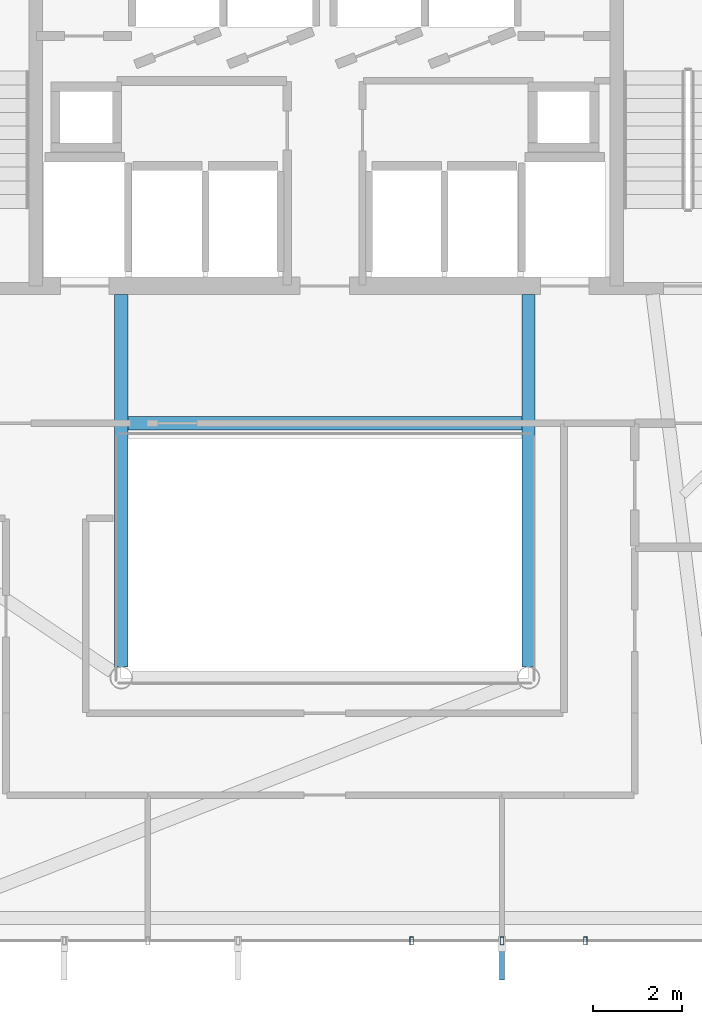
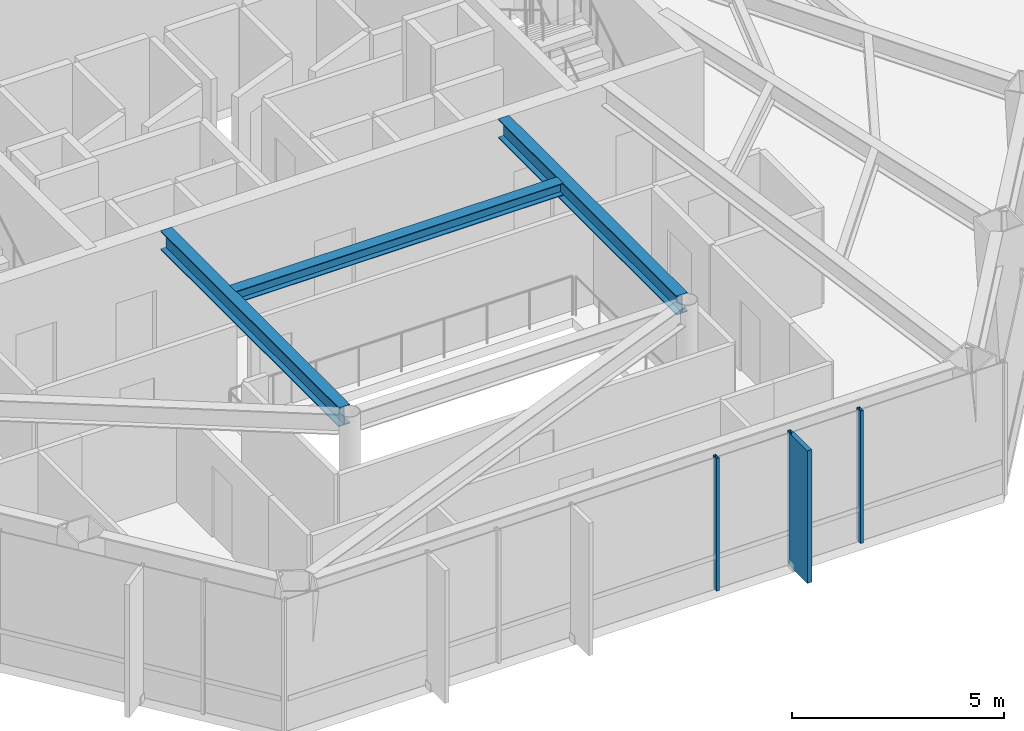
# One storey, part 8 of 26: 4 members, 3 beams, 1 element without a shape of its own.
"""IFC4 building model written with IfcOpenShell, lengths in metres."""

from ifc_helpers import new_model, si_unit, direction, frame, origin, origin_2d, place, context, subcontext, project, spatial, rectangle, hollow_rectangle, i_section, extrude, material, layer, layer_set, material_profile, profile_set, type_object, element, aggregate, save


model = new_model("IFC4")

# Units and contexts
model_context = context("Model", 3, precision=1e-05, world=origin(), true_north=direction((0.0, 1.0)))
body_context = subcontext(model_context, "Body", "Model", "MODEL_VIEW")
ifc_project = project(units=[si_unit("LENGTHUNIT", "METRE"), si_unit("AREAUNIT", "SQUARE_METRE"), si_unit("VOLUMEUNIT", "CUBIC_METRE"), si_unit("PLANEANGLEUNIT", "RADIAN"), si_unit("MASSUNIT", "GRAM", prefix="KILO")], contexts=[model_context])

# Site, building, storey
site_placement = place(None, origin())
site = spatial("IfcSite", under=ifc_project, at=site_placement, CompositionType="ELEMENT")
building_placement = place(site_placement, origin())
building = spatial("IfcBuilding", under=site, at=building_placement, Name="Zarrinselat Tower", CompositionType="ELEMENT")
storey_placement = place(building_placement, frame((0.0, 0.0, 92.820068359375)))
storey = spatial("IfcBuildingStorey", under=building, at=storey_placement, Name="L22", CompositionType="ELEMENT", Elevation=92.820068359375)

# Beams
ifc_material_1 = material(Name="Steel S355J2", Category="steel")
ifc_material_profile_1 = material_profile(ifc_material_1, i_section(OverallWidth=0.300048828125, OverallDepth=0.35009765625, WebThickness=0.010009765625, FlangeThickness=0.017578125, at=origin_2d()), Name="HEA 360")
ifc_profile_set_1 = profile_set([ifc_material_profile_1], Name="Steel S355J2")
beam_type_1 = type_object("IfcBeamType", Name="BM-HEA360", PredefinedType="LINTEL", material=ifc_profile_set_1)
beam_placement = place(storey_placement, frame((33.93994140625, 30.14990234375, 3.64501953125), z_axis=(1.0, 0.0, 0.0), x_axis=(0.0, 1.0, 0.0)))
element("IfcBeam", 1, at=beam_placement, inside=storey, type_object=beam_type_1, Name="L22 Lift Lobby Ceiling Beam", PredefinedType="LINTEL", context=body_context, shape_type="SweptSolid", body=[
    extrude(i_section(OverallWidth=0.300048828125, OverallDepth=0.35009765625, WebThickness=0.010009765625, FlangeThickness=0.017578125, at=origin_2d()), origin(), (0.0, 0.0, 1.0), 8.920166015625),
])
ifc_material_2 = material(Name="Steel S355J2", Category="steel")
ifc_material_profile_2 = material_profile(ifc_material_2, i_section(OverallWidth=0.300048828125, OverallDepth=0.550048828125, WebThickness=0.014892578125, FlangeThickness=0.029052734375, at=origin_2d()), Name="HEB 550")
ifc_profile_set_2 = profile_set([ifc_material_profile_2], Name="Steel S355J2")
beam_type_2 = type_object("IfcBeamType", Name="BM-HEB550", PredefinedType="BEAM", material=ifc_profile_set_2)
for number, where, z_axis, x_axis, name in (
    (2, (33.800048828125, 24.639892578125, 3.544921875), (0.0, 1.0, 0.0), (-1.0, 0.0, 0.0), "L22 Atrium Edge Beam W"),
    (3, (43.0, 24.639892578125, 3.544921875), (0.0, 1.0, 0.0), (-1.0, 0.0, 0.0), "L22 Atrium Edge Beam E"),
):
    element("IfcBeam", number, at=place(storey_placement, frame(where, z_axis=z_axis, x_axis=x_axis)), inside=storey, type_object=beam_type_2, Name=name, PredefinedType="BEAM", context=body_context, shape_type="SweptSolid", body=[
        extrude(i_section(OverallWidth=0.300048828125, OverallDepth=0.550048828125, WebThickness=0.014892578125, FlangeThickness=0.029052734375, at=origin_2d()), origin(), (0.0, 0.0, 1.0), 8.420166015625),
    ])

# Curtain wall, members
ifc_material_3 = material(Name="Extruded Aluminium Alloy EN AW-6063 T6", Category="aluminium")
ifc_layer = layer(ifc_material_3, 0.18505859375)
ifc_layer_set = layer_set([ifc_layer], Name="Extruded Aluminium Alloy EN AW-6063 T6")
curtain_wall_type = type_object("IfcCurtainWallType", Name="CWS-OFF", PredefinedType="NOTDEFINED", material=ifc_layer_set)
curtain_wall_placement = place(storey_placement, origin())
curtain_wall = element("IfcCurtainWall", 4, at=curtain_wall_placement, inside=storey, type_object=curtain_wall_type, Name="L22 Unitised Curtain Wall CW-L22-E04", PredefinedType="NOTDEFINED")
ifc_material_4 = material(Name="Extruded Aluminium Alloy EN AW-6063 T6", Category="aluminium")
ifc_material_profile_3 = material_profile(ifc_material_4, hollow_rectangle(XDim=0.080078125, YDim=0.179931640625, WallThickness=0.0048828125, at=origin_2d()), Name="RHS 180x80x5")
ifc_profile_set_3 = profile_set([ifc_material_profile_3], Name="Extruded Aluminium Alloy EN AW-6063 T6")
member_type_1 = type_object("IfcMemberType", Name="MEM-CW-MUL", PredefinedType="MULLION", material=ifc_profile_set_3)
member_1_placement = place(storey_placement, frame((40.361083984375, 18.4599609375, 0.0), z_axis=(0.0, 0.0, 1.0), x_axis=(1.0, 0.0, 0.0)))
member_1 = element("IfcMember", 5, at=member_1_placement, type_object=member_type_1, Name="CW-L22-E04 Mullion 4", PredefinedType="MULLION", context=body_context, shape_type="SweptSolid", body=[
    extrude(hollow_rectangle(XDim=0.080078125, YDim=0.179931640625, WallThickness=0.0048828125, at=origin_2d()), origin(), (0.0, 0.0, 1.0), 3.81982421875),
])
member_2_placement = place(storey_placement, frame((42.39990234375, 18.4599609375, 0.0), z_axis=(0.0, 0.0, 1.0), x_axis=(1.0, 0.0, 0.0)))
member_2 = element("IfcMember", 6, at=member_2_placement, type_object=member_type_1, Name="CW-L22-E04 Mullion 5", PredefinedType="MULLION", context=body_context, shape_type="SweptSolid", body=[
    extrude(hollow_rectangle(XDim=0.080078125, YDim=0.179931640625, WallThickness=0.0048828125, at=origin_2d()), origin(), (0.0, 0.0, 1.0), 3.81982421875),
])
member_3_placement = place(storey_placement, frame((44.283447265625, 18.4599609375, 0.0), z_axis=(0.0, 0.0, 1.0), x_axis=(1.0, 0.0, 0.0)))
member_3 = element("IfcMember", 7, at=member_3_placement, type_object=member_type_1, Name="CW-L22-E04 Mullion 6", PredefinedType="MULLION", context=body_context, shape_type="SweptSolid", body=[
    extrude(hollow_rectangle(XDim=0.080078125, YDim=0.179931640625, WallThickness=0.0048828125, at=origin_2d()), origin(), (0.0, 0.0, 1.0), 3.81982421875),
])
ifc_material_5 = material(Name="Honed Cream Travertine Stone", Category="masonry")
ifc_material_profile_4 = material_profile(ifc_material_5, rectangle(XDim=0.1201171875, YDim=0.85009765625, at=origin_2d()), Name="FIN 850x120")
ifc_profile_set_4 = profile_set([ifc_material_profile_4], Name="Honed Cream Travertine Stone")
member_type_2 = type_object("IfcMemberType", Name="MEM-STONE-FIN", PredefinedType="USERDEFINED", material=ifc_profile_set_4)
member_4_placement = place(storey_placement, frame((42.39990234375, 18.0, 0.0), z_axis=(0.0, 0.0, 1.0), x_axis=(-1.0, 0.0, 0.0)))
member_4 = element("IfcMember", 8, at=member_4_placement, type_object=member_type_2, Name="L22 Stone Shading Fin CW-L22-E04-05", ObjectType="FIN", PredefinedType="USERDEFINED", context=body_context, shape_type="SweptSolid", body=[
    extrude(rectangle(XDim=0.1201171875, YDim=0.85009765625, at=origin_2d()), origin(), (0.0, 0.0, 1.0), 3.81982421875),
])
aggregate(curtain_wall, [member_1, member_2, member_4, member_3])

save(model, "model.ifc")
